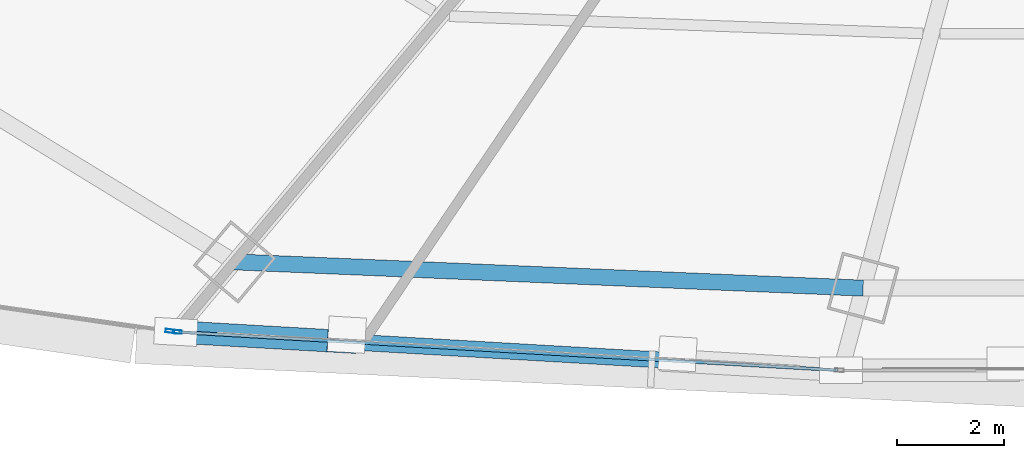
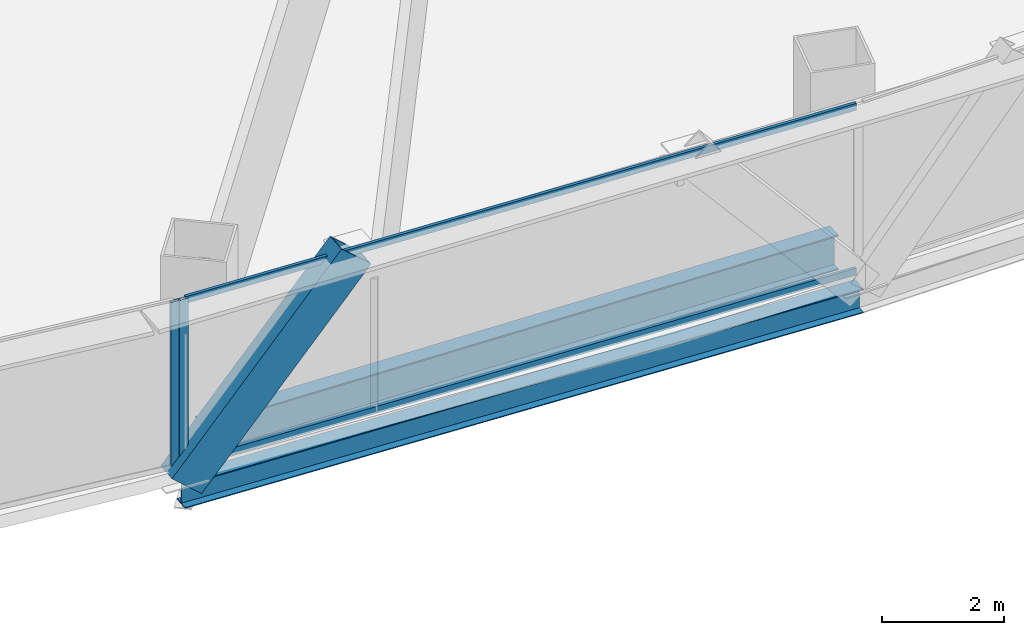
# One storey, part 6 of 42: 5 members, 2 beams, 2 elements without a shape of their own.
"""IFC4 building model written with IfcOpenShell, lengths in metres."""

from ifc_helpers import new_model, si_unit, direction, frame, origin, origin_2d, place, context, subcontext, project, spatial, hollow_rectangle, i_section, extrude, source, transform, mapped, material, layer, layer_set, material_profile, profile_set, type_object, element, aggregate, save


model = new_model("IFC4")

# Units and contexts
model_context = context("Model", 3, precision=1e-05, world=origin(), true_north=direction((0.0, 1.0)))
body_context = subcontext(model_context, "Body", "Model", "MODEL_VIEW")
ifc_project = project(units=[si_unit("LENGTHUNIT", "METRE"), si_unit("AREAUNIT", "SQUARE_METRE"), si_unit("VOLUMEUNIT", "CUBIC_METRE"), si_unit("PLANEANGLEUNIT", "RADIAN"), si_unit("MASSUNIT", "GRAM", prefix="KILO"), si_unit("THERMODYNAMICTEMPERATUREUNIT", "KELVIN"), si_unit("POWERUNIT", "WATT")], contexts=[model_context])

# Site, building, storey
site_placement = place(None, origin())
site = spatial("IfcSite", under=ifc_project, at=site_placement, CompositionType="ELEMENT")
building_placement = place(site_placement, origin())
building = spatial("IfcBuilding", under=site, at=building_placement, Name="Yunzhuo Pagoda Commons", CompositionType="ELEMENT")
storey_placement = place(building_placement, frame((0.0, 0.0, 48.550048828125)))
storey = spatial("IfcBuildingStorey", under=building, at=storey_placement, Name="L12", CompositionType="ELEMENT", Elevation=48.550048828125)

# Beams
ifc_material_1 = material(Name="Structural steel Q355B", Category="steel")
ifc_material_profile_1 = material_profile(ifc_material_1, i_section(OverallWidth=0.300048828125, OverallDepth=0.699951171875, WebThickness=0.012939453125, FlangeThickness=0.02392578125, at=origin_2d()), Name="Structural steel Q355B")
ifc_profile_set_1 = profile_set([ifc_material_profile_1], Name="Structural steel Q355B")
beam_type_1 = type_object("IfcBeamType", Name="B-RG1 Beam HN 700x300x13x24", PredefinedType="BEAM", material=ifc_profile_set_1)
shared_shape_1 = source(origin(), body_context, "Body", "SweptSolid", [
    extrude(i_section(OverallWidth=0.300048828125, OverallDepth=0.699951171875, WebThickness=0.012939453125, FlangeThickness=0.02392578125, at=origin_2d()), origin(), (0.0, 0.0, 1.0), 11.7900390625),
])
beam_1_placement = place(storey_placement, frame((30.5, 12.844482421875, -0.610107421875), z_axis=(0.99912739354, -0.041766631146, 0.0), x_axis=(0.041766631146, 0.99912739354, 0.0)))
element("IfcBeam", 1, at=beam_1_placement, inside=storey, type_object=beam_type_1, Name="L12 column-ring beam 1", PredefinedType="BEAM", context=body_context, shape_type="MappedRepresentation", body=[
    mapped(shared_shape_1, transform((0.0, 0.0, 0.0), scale=1.0)),
])
ifc_material_profile_2 = material_profile(ifc_material_1, i_section(OverallWidth=0.300048828125, OverallDepth=0.488037109375, WebThickness=0.010986328125, FlangeThickness=0.01806640625, at=origin_2d()), Name="Structural steel Q355B")
ifc_profile_set_2 = profile_set([ifc_material_profile_2], Name="Structural steel Q355B")
beam_type_2 = type_object("IfcBeamType", Name="B-SP1 Beam HM 488x300x11x18", PredefinedType="BEAM", material=ifc_profile_set_2)
shared_shape_2 = source(origin(), body_context, "Body", "SweptSolid", [
    extrude(i_section(OverallWidth=0.300048828125, OverallDepth=0.488037109375, WebThickness=0.010986328125, FlangeThickness=0.01806640625, at=origin_2d()), origin(), (0.0, 0.0, 1.0), 12.488037109375),
])
beam_2_placement = place(storey_placement, frame((29.399658203125, 11.532958984375, -0.504150390625), z_axis=(0.998328811504, -0.057789134978, 0.0), x_axis=(0.057789134978, 0.998328811504, 0.0)))
element("IfcBeam", 2, at=beam_2_placement, inside=storey, type_object=beam_type_2, Name="L12 facade edge spandrel beam F1.1", PredefinedType="BEAM", context=body_context, shape_type="MappedRepresentation", body=[
    mapped(shared_shape_2, transform((0.0, 0.0, 0.0), scale=1.0)),
])

# Member
ifc_material_2 = material(Name="Structural steel Q420B", Category="steel")
ifc_material_profile_3 = material_profile(ifc_material_2, hollow_rectangle(XDim=0.419921875, YDim=0.719970703125, WallThickness=0.028076171875, at=origin_2d()), Name="Structural steel Q420B")
ifc_profile_set_3 = profile_set([ifc_material_profile_3], Name="Structural steel Q420B")
member_type_1 = type_object("IfcMemberType", Name="M-DL1 Brace BOX 720x420x28", PredefinedType="BRACE", material=ifc_profile_set_3)
shared_shape_3 = source(origin(), body_context, "Body", "SweptSolid", [
    extrude(hollow_rectangle(XDim=0.419921875, YDim=0.719970703125, WallThickness=0.028076171875, at=origin_2d()), origin(), (0.0, 0.0, 1.0), 4.787841796875),
])
member_1_placement = place(storey_placement, frame((29.399658203125, 11.532958984375, -0.260009765625), z_axis=(0.65100498202, -0.037682515995, 0.758137547793), x_axis=(0.057786879313, 0.998328942072, 0.0)))
element("IfcMember", 3, at=member_1_placement, inside=storey, type_object=member_type_1, Name="L12 facade diamond brace F1.1L", PredefinedType="BRACE", context=body_context, shape_type="MappedRepresentation", body=[
    mapped(shared_shape_3, transform((0.0, 0.0, 0.0), scale=1.0)),
])

# Curtain wall, member
ifc_material_3 = material(Name="Anodized aluminium 6063-T6", Category="aluminium")
ifc_layer = layer(ifc_material_3, 0.1650390625)
ifc_layer_set = layer_set([ifc_layer], Name="Anodized aluminium 6063-T6")
curtain_wall_type = type_object("IfcCurtainWallType", Name="CW-LOW Low-Zone Ribbon Curtain Wall", PredefinedType="NOTDEFINED", material=ifc_layer_set)
curtain_wall_1_placement = place(storey_placement, origin())
curtain_wall_1 = element("IfcCurtainWall", 4, at=curtain_wall_1_placement, inside=storey, type_object=curtain_wall_type, Name="L12 curtain wall CW-L12-F1B2", PredefinedType="NOTDEFINED")
ifc_material_profile_4 = material_profile(ifc_material_3, hollow_rectangle(XDim=0.06494140625, YDim=0.1650390625, WallThickness=0.00390625, at=origin_2d()), Name="Anodized aluminium 6063-T6")
ifc_profile_set_4 = profile_set([ifc_material_profile_4], Name="Anodized aluminium 6063-T6")
member_type_2 = type_object("IfcMemberType", Name="CW-LOW-M Mullion RHS 165x65x4", PredefinedType="MULLION", material=ifc_profile_set_4)
shared_shape_4 = source(origin(), body_context, "Body", "SweptSolid", [
    extrude(hollow_rectangle(XDim=0.06494140625, YDim=0.1650390625, WallThickness=0.00390625, at=origin_2d()), origin(), (0.0, 0.0, 1.0), 3.369873046875),
])
member_2_placement = place(storey_placement, frame((29.43212890625, 11.531005859375, 0.0), z_axis=(0.0, 0.0, 1.0), x_axis=(0.057790687505, 0.998328721633, 0.0)))
member_2 = element("IfcMember", 5, at=member_2_placement, type_object=member_type_2, Name="CW mullion 1", PredefinedType="MULLION", context=body_context, shape_type="MappedRepresentation", body=[
    mapped(shared_shape_4, transform((0.0, 0.0, 0.0), scale=1.0)),
])

curtain_wall_2_placement = place(storey_placement, origin())
curtain_wall_2 = element("IfcCurtainWall", 6, at=curtain_wall_2_placement, inside=storey, type_object=curtain_wall_type, Name="L12 curtain wall CW-L12-F1B1", PredefinedType="NOTDEFINED")
member_3_placement = place(storey_placement, frame((29.293212890625, 11.548095703125, 0.0), z_axis=(0.0, 0.0, 1.0), x_axis=(0.141492753346, 0.989939291447, 0.0)))
member_3 = element("IfcMember", 7, at=member_3_placement, type_object=member_type_2, Name="CW mullion 2", PredefinedType="MULLION", context=body_context, shape_type="MappedRepresentation", body=[
    mapped(shared_shape_4, transform((0.0, 0.0, 0.0), scale=1.0)),
])
aggregate(curtain_wall_2, [member_3])

# Member
ifc_material_profile_5 = material_profile(ifc_material_3, hollow_rectangle(XDim=0.06005859375, YDim=0.139892578125, WallThickness=0.00341796875, at=origin_2d()), Name="Anodized aluminium 6063-T6")
ifc_profile_set_5 = profile_set([ifc_material_profile_5], Name="Anodized aluminium 6063-T6")
member_type_3 = type_object("IfcMemberType", Name="CW-LOW-T Transom RHS 140x60x3.5", PredefinedType="USERDEFINED", material=ifc_profile_set_5)
shared_shape_5 = source(origin(), body_context, "Body", "SweptSolid", [
    extrude(hollow_rectangle(XDim=0.06005859375, YDim=0.139892578125, WallThickness=0.00341796875, at=origin_2d()), origin(), (0.0, 0.0, 1.0), 12.358154296875),
])
member_4_placement = place(storey_placement, frame((29.464599609375, 11.529296875, 0.030029296875), z_axis=(0.998327904956, -0.0578047938, 0.0), x_axis=(0.0578047938, 0.998327904956, 0.0)))
member_4 = element("IfcMember", 8, at=member_4_placement, type_object=member_type_3, Name="CW transom 1.1", ObjectType="TRANSOM", PredefinedType="USERDEFINED", context=body_context, shape_type="MappedRepresentation", body=[
    mapped(shared_shape_5, transform((0.0, 0.0, 0.0), scale=1.0)),
])

member_5_placement = place(storey_placement, frame((29.464599609375, 11.529296875, 3.33984375), z_axis=(0.998327904956, -0.0578047938, 0.0), x_axis=(0.0578047938, 0.998327904956, 0.0)))
member_5 = element("IfcMember", 9, at=member_5_placement, type_object=member_type_3, Name="CW transom 1.2", ObjectType="TRANSOM", PredefinedType="USERDEFINED", context=body_context, shape_type="MappedRepresentation", body=[
    mapped(shared_shape_5, transform((0.0, 0.0, 0.0), scale=1.0)),
])

aggregate(curtain_wall_1, [member_2, member_4, member_5])

save(model, "model.ifc")
